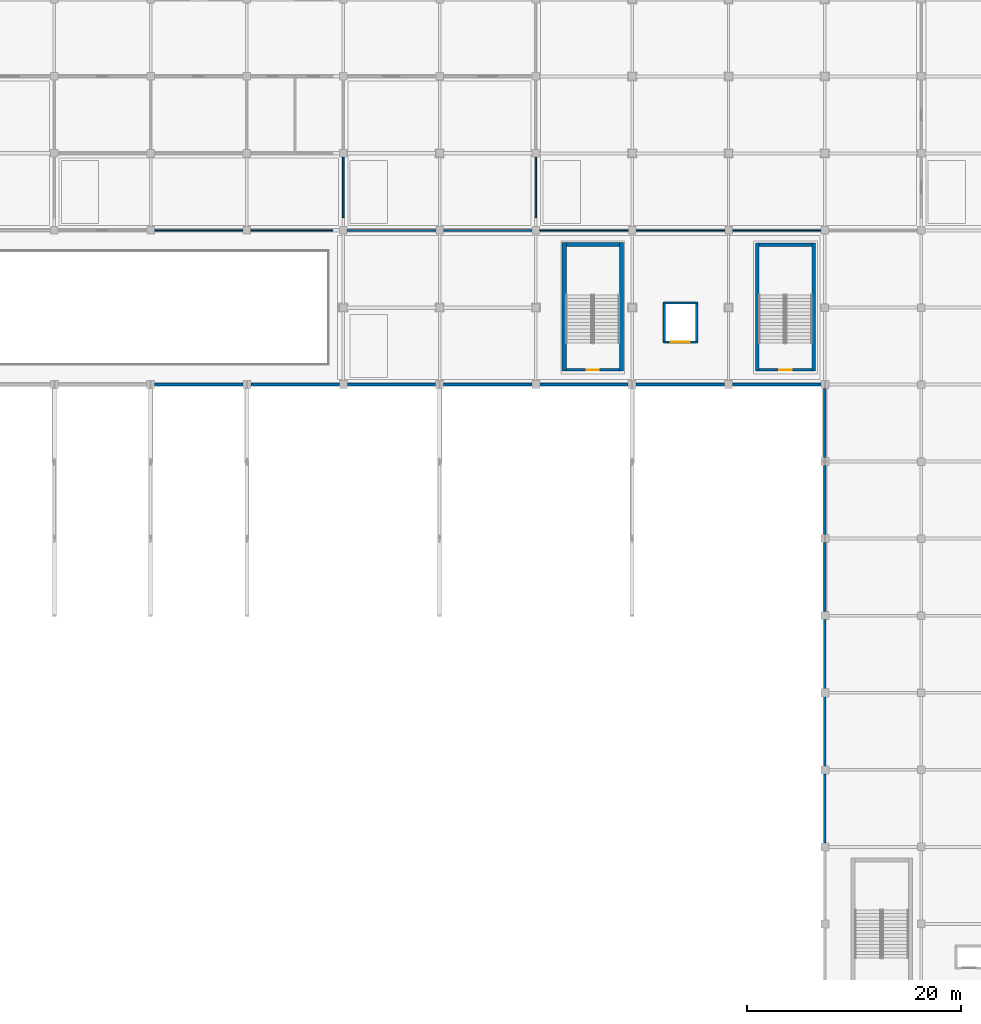
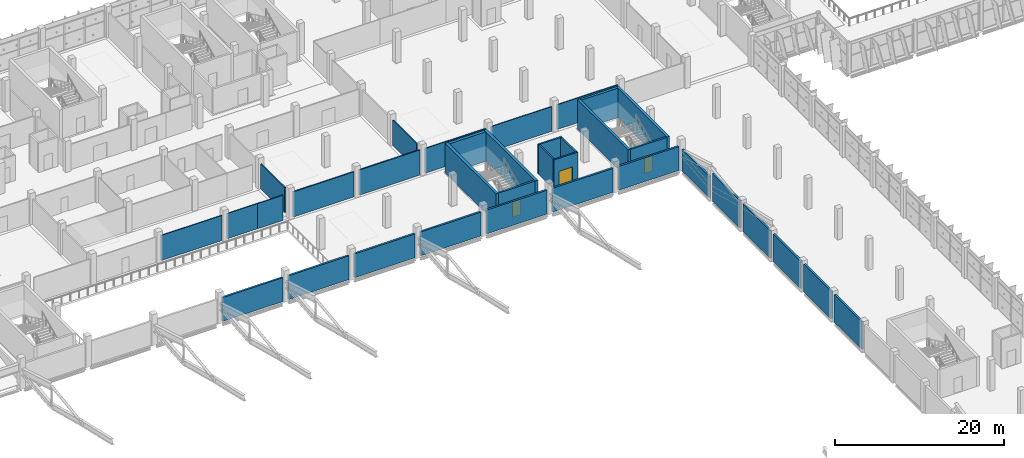
# One storey, part 111 of 151: 35 walls, 3 doors, 3 openings.
"""IFC4 building model written with IfcOpenShell, lengths in metres."""

from ifc_helpers import new_model, si_unit, direction, frame, frame_2d, origin, place, context, subcontext, project, spatial, rectangle, extrude, material, layer, layer_set, type_object, element, fill, save


model = new_model("IFC4")

# Units and contexts
model_context = context("Model", 3, precision=1e-05, world=origin(), true_north=direction((0.0, 1.0)))
body_context = subcontext(model_context, "Body", "Model", "MODEL_VIEW")
ifc_project = project(units=[si_unit("LENGTHUNIT", "METRE"), si_unit("AREAUNIT", "SQUARE_METRE"), si_unit("VOLUMEUNIT", "CUBIC_METRE"), si_unit("PLANEANGLEUNIT", "RADIAN"), si_unit("MASSUNIT", "GRAM", prefix="KILO")], contexts=[model_context])

# Site, building, storey
site_placement = place(None, origin())
site = spatial("IfcSite", under=ifc_project, at=site_placement, CompositionType="ELEMENT")
building_placement = place(site_placement, origin())
building = spatial("IfcBuilding", under=site, at=building_placement, Name="Celestram Park Convention Centre", CompositionType="ELEMENT")
storey_placement = place(building_placement, frame((0.0, 0.0, 10.800048828125)))
storey = spatial("IfcBuildingStorey", under=building, at=storey_placement, Name="L02", CompositionType="ELEMENT", Elevation=10.800048828125)

# Wall, opening, door
ifc_material_1 = material(Name="Concrete Block Masonry C25/30", Category="masonry")
ifc_layer_1 = layer(ifc_material_1, 0.25)
ifc_layer_set_1 = layer_set([ifc_layer_1], Name="Concrete Block Masonry C25/30")
wall_type_1 = type_object("IfcWallType", Name="ARC-WL-COR250", PredefinedType="STANDARD", material=ifc_layer_set_1)
wall_1_placement = place(storey_placement, frame((101.840087890625, 109.375, 0.0), z_axis=(0.0, 0.0, 1.0), x_axis=(1.0, 0.0, 0.0)))
wall_1 = element("IfcWall", 1, at=wall_1_placement, inside=storey, type_object=wall_type_1, Name="Core C3 stair entrance wall", PredefinedType="STANDARD", context=body_context, shape_type="SweptSolid", body=[
    extrude(rectangle(XDim=4.9599609375, YDim=0.25, at=frame_2d((2.47998046875, 0.0))), origin(), (0.0, 0.0, 1.0), 4.219970703125),
])
opening_1_placement = place(wall_1_placement, frame((1.905029296875, 0.0, 0.0)))
opening_1 = element("IfcOpeningElement", 2, at=opening_1_placement, cuts=wall_1, Name="Opening D-ST1", PredefinedType="OPENING", context=body_context, shape_type="SweptSolid", body=[
    extrude(rectangle(XDim=1.14990234375, YDim=2.199951171875, at=frame_2d((0.574951171875, 1.10009765625))), frame((0.0, 0.135009765625, 0.0), z_axis=(0.0, -1.0, 0.0), x_axis=(1.0, 0.0, 0.0)), (0.0, 0.0, 1.0), 0.27001953125),
])
ifc_material_2 = material(Name="Fire-Rated Hollow Metal Steel ASTM A653", Category="steel")
door_type_1 = type_object("IfcDoorType", Name="ARC-DR-ST115", OperationType="NOTDEFINED", PredefinedType="DOOR", material=ifc_material_2)
door_1_placement = place(opening_1_placement, origin())
door_1 = element("IfcDoor", 3, at=door_1_placement, inside=storey, type_object=door_type_1, Name="Exit stair ST-03 fire door", OperationType="SINGLE_SWING_RIGHT", OverallHeight=2.199951171875, OverallWidth=1.14990234375, PredefinedType="DOOR", context=body_context, shape_type="SweptSolid", body=[
    extrude(rectangle(XDim=1.14990234375, YDim=2.199951171875, at=frame_2d((0.574951171875, 1.10009765625))), frame((0.0, 0.02490234375, 0.0), z_axis=(0.0, -1.0, 0.0), x_axis=(1.0, 0.0, 0.0)), (0.0, 0.0, 1.0), 0.050048828125),
])
fill(opening_1, door_1)

wall_2_placement = place(storey_placement, frame((119.840087890625, 109.375, 0.0), z_axis=(0.0, 0.0, 1.0), x_axis=(1.0, 0.0, 0.0)))
wall_2 = element("IfcWall", 4, at=wall_2_placement, inside=storey, type_object=wall_type_1, Name="Core S20 stair entrance wall", PredefinedType="STANDARD", context=body_context, shape_type="SweptSolid", body=[
    extrude(rectangle(XDim=4.9599609375, YDim=0.25, at=frame_2d((2.47998046875, 0.0))), origin(), (0.0, 0.0, 1.0), 4.219970703125),
])
opening_2_placement = place(wall_2_placement, frame((1.905029296875, 0.0, 0.0)))
opening_2 = element("IfcOpeningElement", 5, at=opening_2_placement, cuts=wall_2, Name="Opening D-ST1", PredefinedType="OPENING", context=body_context, shape_type="SweptSolid", body=[
    extrude(rectangle(XDim=1.14990234375, YDim=2.199951171875, at=frame_2d((0.574951171875, 1.10009765625))), frame((0.0, 0.135009765625, 0.0), z_axis=(0.0, -1.0, 0.0), x_axis=(1.0, 0.0, 0.0)), (0.0, 0.0, 1.0), 0.27001953125),
])
door_2_placement = place(opening_2_placement, origin())
door_2 = element("IfcDoor", 6, at=door_2_placement, inside=storey, type_object=door_type_1, Name="Exit stair ST-20 fire door", OperationType="SINGLE_SWING_RIGHT", OverallHeight=2.199951171875, OverallWidth=1.14990234375, PredefinedType="DOOR", context=body_context, shape_type="SweptSolid", body=[
    extrude(rectangle(XDim=1.14990234375, YDim=2.199951171875, at=frame_2d((0.574951171875, 1.10009765625))), frame((0.0, 0.02490234375, 0.0), z_axis=(0.0, -1.0, 0.0), x_axis=(1.0, 0.0, 0.0)), (0.0, 0.0, 1.0), 0.050048828125),
])
fill(opening_2, door_2)

# Walls
ifc_material_3 = material(Name="Precast Concrete C40/50", Category="concrete")
ifc_layer_2 = layer(ifc_material_3, 0.260009765625)
ifc_layer_set_2 = layer_set([ifc_layer_2], Name="Precast Concrete C40/50")
wall_type_2 = type_object("IfcWallType", Name="ARC-WL-EXT260", PredefinedType="STANDARD", material=ifc_layer_set_2)
for number, where, z_axis, x_axis, name in (
    (7, (126.0, 65.173095703125, 0.0), (0.0, 0.0, 1.0), (0.0, 1.0, 0.0), "Acoustic hall overlook wall WL-L02-EW142"),
    (8, (126.0, 72.373046875, 0.0), (0.0, 0.0, 1.0), (0.0, 1.0, 0.0), "Acoustic hall overlook wall WL-L02-EW143"),
):
    element("IfcWall", number, at=place(storey_placement, frame(where, z_axis=z_axis, x_axis=x_axis)), inside=storey, type_object=wall_type_2, Name=name, PredefinedType="STANDARD", context=body_context, shape_type="SweptSolid", body=[
        extrude(rectangle(XDim=6.453857421875, YDim=0.260009765625, at=frame_2d((3.22705078125, 0.0))), origin(), (0.0, 0.0, 1.0), 4.0),
    ])
for number, where, z_axis, x_axis, name in (
    (9, (126.0, 79.572998046875, 0.0), (0.0, 0.0, 1.0), (0.0, 1.0, 0.0), "Acoustic hall overlook wall WL-L02-EW144"),
    (10, (126.0, 86.77294921875, 0.0), (0.0, 0.0, 1.0), (0.0, 1.0, 0.0), "Acoustic hall overlook wall WL-L02-EW145"),
    (11, (126.0, 93.972900390625, 0.0), (0.0, 0.0, 1.0), (0.0, 1.0, 0.0), "Acoustic hall overlook wall WL-L02-EW146"),
):
    element("IfcWall", number, at=place(storey_placement, frame(where, z_axis=z_axis, x_axis=x_axis)), inside=storey, type_object=wall_type_2, Name=name, PredefinedType="STANDARD", context=body_context, shape_type="SweptSolid", body=[
        extrude(rectangle(XDim=6.4541015625, YDim=0.260009765625, at=frame_2d((3.22705078125, 0.0))), origin(), (0.0, 0.0, 1.0), 4.0),
    ])
wall_3_placement = place(storey_placement, frame((126.0, 101.173095703125, 0.0), z_axis=(0.0, 0.0, 1.0), x_axis=(0.0, 1.0, 0.0)))
element("IfcWall", 12, at=wall_3_placement, inside=storey, type_object=wall_type_2, Name="Acoustic hall overlook wall WL-L02-EW147", PredefinedType="STANDARD", context=body_context, shape_type="SweptSolid", body=[
    extrude(rectangle(XDim=6.453857421875, YDim=0.260009765625, at=frame_2d((3.22705078125, 0.0))), origin(), (0.0, 0.0, 1.0), 3.10986328125),
])
for number, where, z_axis, x_axis, name in (
    (13, (125.626953125, 108.0, 0.0), (0.0, 0.0, 1.0), (-1.0, 0.0, 0.0), "Acoustic hall overlook wall WL-L02-EW148"),
    (14, (116.626953125, 108.0, 0.0), (0.0, 0.0, 1.0), (-1.0, 0.0, 0.0), "Acoustic hall overlook wall WL-L02-EW149"),
    (15, (107.626953125, 108.0, 0.0), (0.0, 0.0, 1.0), (-1.0, 0.0, 0.0), "Acoustic hall overlook wall WL-L02-EW150"),
    (16, (98.626953125, 108.0, 0.0), (0.0, 0.0, 1.0), (-1.0, 0.0, 0.0), "Acoustic hall overlook wall WL-L02-EW151"),
    (17, (89.626953125, 108.0, 0.0), (0.0, 0.0, 1.0), (-1.0, 0.0, 0.0), "Acoustic hall overlook wall WL-L02-EW152"),
    (18, (80.626953125, 108.0, 0.0), (0.0, 0.0, 1.0), (-1.0, 0.0, 0.0), "Acoustic hall overlook wall WL-L02-EW153"),
    (19, (71.626953125, 108.0, 0.0), (0.0, 0.0, 1.0), (-1.0, 0.0, 0.0), "Acoustic hall overlook wall WL-L02-EW154"),
):
    element("IfcWall", number, at=place(storey_placement, frame(where, z_axis=z_axis, x_axis=x_axis)), inside=storey, type_object=wall_type_2, Name=name, PredefinedType="STANDARD", context=body_context, shape_type="SweptSolid", body=[
        extrude(rectangle(XDim=8.25390625, YDim=0.260009765625, at=frame_2d((4.126953125, 0.0))), origin(), (0.0, 0.0, 1.0), 3.43994140625),
    ])
ifc_material_4 = material(Name="Standard Gypsum & Steel Stud 120 mm", Category="steel")
ifc_layer_3 = layer(ifc_material_4, 0.1201171875)
ifc_layer_set_3 = layer_set([ifc_layer_3], Name="Standard Gypsum & Steel Stud 120 mm")
wall_type_3 = type_object("IfcWallType", Name="ARC-WL-PRT120", PredefinedType="PARTITIONING", material=ifc_layer_set_3)
wall_4_placement = place(storey_placement, frame((63.347900390625, 122.39990234375, 0.0), z_axis=(0.0, 0.0, 1.0), x_axis=(1.0, 0.0, 0.0)))
element("IfcWall", 20, at=wall_4_placement, inside=storey, type_object=wall_type_3, Name="Interior partition WL-L02-IN0798", PredefinedType="PARTITIONING", context=body_context, shape_type="SweptSolid", body=[
    extrude(rectangle(XDim=8.30419921875, YDim=0.1201171875, at=frame_2d((4.152099609375, 0.0))), origin(), (0.0, 0.0, 1.0), 3.6279296875),
])
wall_5_placement = place(storey_placement, frame((72.347900390625, 122.39990234375, 0.0), z_axis=(0.0, 0.0, 1.0), x_axis=(1.0, 0.0, 0.0)))
element("IfcWall", 21, at=wall_5_placement, inside=storey, type_object=wall_type_3, Name="Interior partition WL-L02-IN0799", PredefinedType="PARTITIONING", context=body_context, shape_type="SweptSolid", body=[
    extrude(rectangle(XDim=4.152099609375, YDim=0.1201171875, at=frame_2d((2.076171875, 0.0))), origin(), (0.0, 0.0, 1.0), 3.6279296875),
])
wall_6_placement = place(storey_placement, frame((76.5, 122.39990234375, 0.0), z_axis=(0.0, 0.0, 1.0), x_axis=(1.0, 0.0, 0.0)))
element("IfcWall", 22, at=wall_6_placement, inside=storey, type_object=wall_type_3, Name="Interior partition WL-L02-IN0800", PredefinedType="PARTITIONING", context=body_context, shape_type="SweptSolid", body=[
    extrude(rectangle(XDim=3.5, YDim=0.1201171875, at=frame_2d((1.75, 0.0))), origin(), (0.0, 0.0, 1.0), 3.6279296875),
])
for number, where, z_axis, x_axis, name in (
    (23, (99.347900390625, 122.39990234375, 0.0), (0.0, 0.0, 1.0), (1.0, 0.0, 0.0), "Interior partition WL-L02-IN0803"),
    (24, (108.347900390625, 122.39990234375, 0.0), (0.0, 0.0, 1.0), (1.0, 0.0, 0.0), "Interior partition WL-L02-IN0804"),
    (25, (117.347900390625, 122.39990234375, 0.0), (0.0, 0.0, 1.0), (1.0, 0.0, 0.0), "Interior partition WL-L02-IN0805"),
):
    element("IfcWall", number, at=place(storey_placement, frame(where, z_axis=z_axis, x_axis=x_axis)), inside=storey, type_object=wall_type_3, Name=name, PredefinedType="PARTITIONING", context=body_context, shape_type="SweptSolid", body=[
        extrude(rectangle(XDim=8.30419921875, YDim=0.1201171875, at=frame_2d((4.152099609375, 0.0))), origin(), (0.0, 0.0, 1.0), 3.56689453125),
    ])
ifc_material_5 = material(Name="Acoustic Gypsum & Steel Stud 160 mm", Category="steel")
ifc_layer_4 = layer(ifc_material_5, 0.159912109375)
ifc_layer_set_4 = layer_set([ifc_layer_4], Name="Acoustic Gypsum & Steel Stud 160 mm")
wall_type_4 = type_object("IfcWallType", Name="ARC-WL-PRT160", PredefinedType="PARTITIONING", material=ifc_layer_set_4)
for number, where, z_axis, x_axis, name in (
    (26, (81.347900390625, 122.39990234375, 0.0), (0.0, 0.0, 1.0), (1.0, 0.0, 0.0), "Interior partition WL-L02-IN0801"),
    (27, (90.347900390625, 122.39990234375, 0.0), (0.0, 0.0, 1.0), (1.0, 0.0, 0.0), "Interior partition WL-L02-IN0802"),
):
    element("IfcWall", number, at=place(storey_placement, frame(where, z_axis=z_axis, x_axis=x_axis)), inside=storey, type_object=wall_type_4, Name=name, PredefinedType="PARTITIONING", context=body_context, shape_type="SweptSolid", body=[
        extrude(rectangle(XDim=8.30419921875, YDim=0.159912109375, at=frame_2d((4.152099609375, 0.0))), origin(), (0.0, 0.0, 1.0), 3.6279296875),
    ])
for number, where, z_axis, x_axis, name in (
    (28, (81.0, 123.60009765625, 0.0), (0.0, 0.0, 1.0), (0.0, 1.0, 0.0), "Interior partition WL-L02-IN0842"),
    (29, (99.0, 123.60009765625, 0.0), (0.0, 0.0, 1.0), (0.0, 1.0, 0.0), "Interior partition WL-L02-IN0848"),
):
    element("IfcWall", number, at=place(storey_placement, frame(where, z_axis=z_axis, x_axis=x_axis)), inside=storey, type_object=wall_type_4, Name=name, PredefinedType="PARTITIONING", context=body_context, shape_type="SweptSolid", body=[
        extrude(rectangle(XDim=5.65185546875, YDim=0.159912109375, at=frame_2d((2.825927734375, 0.0))), origin(), (0.0, 0.0, 1.0), 3.6279296875),
    ])

# Wall, opening, door
ifc_layer_5 = layer(ifc_material_1, 0.219970703125)
ifc_layer_set_5 = layer_set([ifc_layer_5], Name="Concrete Block Masonry C25/30")
wall_type_5 = type_object("IfcWallType", Name="ARC-WL-SHF220", PredefinedType="STANDARD", material=ifc_layer_set_5)
wall_7_placement = place(storey_placement, frame((110.8701171875, 111.97998046875, 0.0), z_axis=(0.0, 0.0, 1.0), x_axis=(1.0, 0.0, 0.0)))
wall_7 = element("IfcWall", 30, at=wall_7_placement, inside=storey, type_object=wall_type_5, Name="Lift LG-01 shaft wall S", PredefinedType="STANDARD", context=body_context, shape_type="SweptSolid", body=[
    extrude(rectangle(XDim=3.259765625, YDim=0.219970703125, at=frame_2d((1.6298828125, 0.0))), origin(), (0.0, 0.0, 1.0), 4.219970703125),
])
opening_3_placement = place(wall_7_placement, frame((0.72998046875, 0.0, 0.0)))
opening_3 = element("IfcOpeningElement", 31, at=opening_3_placement, cuts=wall_7, Name="Opening LD-02", PredefinedType="OPENING", context=body_context, shape_type="SweptSolid", body=[
    extrude(rectangle(XDim=1.800048828125, YDim=2.35009765625, at=frame_2d((0.89990234375, 1.175048828125))), frame((0.0, 0.119873046875, 0.0), z_axis=(0.0, -1.0, 0.0), x_axis=(1.0, 0.0, 0.0)), (0.0, 0.0, 1.0), 0.239990234375),
])
ifc_material_6 = material(Name="Heavy-Duty Stainless Steel AISI 304", Category="steel")
door_type_2 = type_object("IfcDoorType", Name="ARC-DR-LFG180", OperationType="NOTDEFINED", PredefinedType="DOOR", material=ifc_material_6)
door_3_placement = place(opening_3_placement, origin())
door_3 = element("IfcDoor", 32, at=door_3_placement, inside=storey, type_object=door_type_2, Name="Lift LG-01 sliding landing door", OperationType="DOUBLE_DOOR_SLIDING", OverallHeight=2.35009765625, OverallWidth=1.800048828125, PredefinedType="DOOR", context=body_context, shape_type="SweptSolid", body=[
    extrude(rectangle(XDim=1.800048828125, YDim=2.35009765625, at=frame_2d((0.89990234375, 1.175048828125))), frame((0.0, 0.02490234375, 0.0), z_axis=(0.0, -1.0, 0.0), x_axis=(1.0, 0.0, 0.0)), (0.0, 0.0, 1.0), 0.050048828125),
])
fill(opening_3, door_3)

# Walls
wall_8_placement = place(storey_placement, frame((114.1298828125, 115.6201171875, 0.0), z_axis=(0.0, 0.0, 1.0), x_axis=(-1.0, 0.0, 0.0)))
element("IfcWall", 33, at=wall_8_placement, inside=storey, type_object=wall_type_5, Name="Lift LG-01 shaft wall N", PredefinedType="STANDARD", context=body_context, shape_type="SweptSolid", body=[
    extrude(rectangle(XDim=3.259765625, YDim=0.219970703125, at=frame_2d((1.6298828125, 0.0))), origin(), (0.0, 0.0, 1.0), 4.219970703125),
])
for number, where, z_axis, x_axis, name in (
    (34, (110.97998046875, 115.510009765625, 0.0), (0.0, 0.0, 1.0), (0.0, -1.0, 0.0), "Lift LG-01 shaft wall W"),
    (35, (114.02001953125, 112.090087890625, 0.0), (0.0, 0.0, 1.0), (0.0, 1.0, 0.0), "Lift LG-01 shaft wall E"),
):
    element("IfcWall", number, at=place(storey_placement, frame(where, z_axis=z_axis, x_axis=x_axis)), inside=storey, type_object=wall_type_5, Name=name, PredefinedType="STANDARD", context=body_context, shape_type="SweptSolid", body=[
        extrude(rectangle(XDim=3.419921875, YDim=0.219970703125, at=frame_2d((1.7099609375, 0.0))), origin(), (0.0, 0.0, 1.0), 4.219970703125),
    ])
ifc_material_7 = material(Name="Concrete C40/50", Category="concrete")
ifc_layer_6 = layer(ifc_material_7, 0.340087890625)
ifc_layer_set_6 = layer_set([ifc_layer_6], Name="Concrete C40/50")
wall_type_6 = type_object("IfcWallType", Name="STR-WL-SHR340", PredefinedType="SHEAR", material=ifc_layer_set_6)
for number, where, z_axis, x_axis, name in (
    (36, (119.669921875, 109.25, 0.0), (0.0, 0.0, 1.0), (0.0, 1.0, 0.0), "Core S20 shear wall L"),
    (37, (124.969970703125, 121.239990234375, 0.0), (0.0, 0.0, 1.0), (0.0, -1.0, 0.0), "Core S20 shear wall R"),
):
    element("IfcWall", number, at=place(storey_placement, frame(where, z_axis=z_axis, x_axis=x_axis)), inside=storey, type_object=wall_type_6, Name=name, PredefinedType="SHEAR", context=body_context, shape_type="SweptSolid", body=[
        extrude(rectangle(XDim=11.989990234375, YDim=0.340087890625, at=frame_2d((5.9951171875, 0.0))), origin(), (0.0, 0.0, 1.0), 4.25),
    ])
wall_9_placement = place(storey_placement, frame((119.840087890625, 121.070068359375, 0.0), z_axis=(0.0, 0.0, 1.0), x_axis=(1.0, 0.0, 0.0)))
element("IfcWall", 38, at=wall_9_placement, inside=storey, type_object=wall_type_6, Name="Core S20 shear wall F", PredefinedType="SHEAR", context=body_context, shape_type="SweptSolid", body=[
    extrude(rectangle(XDim=4.9599609375, YDim=0.340087890625, at=frame_2d((2.47998046875, 0.0))), origin(), (0.0, 0.0, 1.0), 4.25),
])
ifc_layer_7 = layer(ifc_material_7, 0.3798828125)
ifc_layer_set_7 = layer_set([ifc_layer_7], Name="Concrete C40/50")
wall_type_7 = type_object("IfcWallType", Name="STR-WL-SHR380", PredefinedType="SHEAR", material=ifc_layer_set_7)
for number, where, z_axis, x_axis, name in (
    (39, (101.64990234375, 109.25, 0.0), (0.0, 0.0, 1.0), (0.0, 1.0, 0.0), "Core C3 shear wall L"),
    (40, (106.989990234375, 121.280029296875, 0.0), (0.0, 0.0, 1.0), (0.0, -1.0, 0.0), "Core C3 shear wall R"),
):
    element("IfcWall", number, at=place(storey_placement, frame(where, z_axis=z_axis, x_axis=x_axis)), inside=storey, type_object=wall_type_7, Name=name, PredefinedType="SHEAR", context=body_context, shape_type="SweptSolid", body=[
        extrude(rectangle(XDim=12.030029296875, YDim=0.3798828125, at=frame_2d((6.01513671875, 0.0))), origin(), (0.0, 0.0, 1.0), 4.25),
    ])
wall_10_placement = place(storey_placement, frame((101.840087890625, 121.090087890625, 0.0), z_axis=(0.0, 0.0, 1.0), x_axis=(1.0, 0.0, 0.0)))
element("IfcWall", 41, at=wall_10_placement, inside=storey, type_object=wall_type_7, Name="Core C3 shear wall F", PredefinedType="SHEAR", context=body_context, shape_type="SweptSolid", body=[
    extrude(rectangle(XDim=4.9599609375, YDim=0.3798828125, at=frame_2d((2.47998046875, 0.0))), origin(), (0.0, 0.0, 1.0), 4.25),
])

save(model, "model.ifc")
